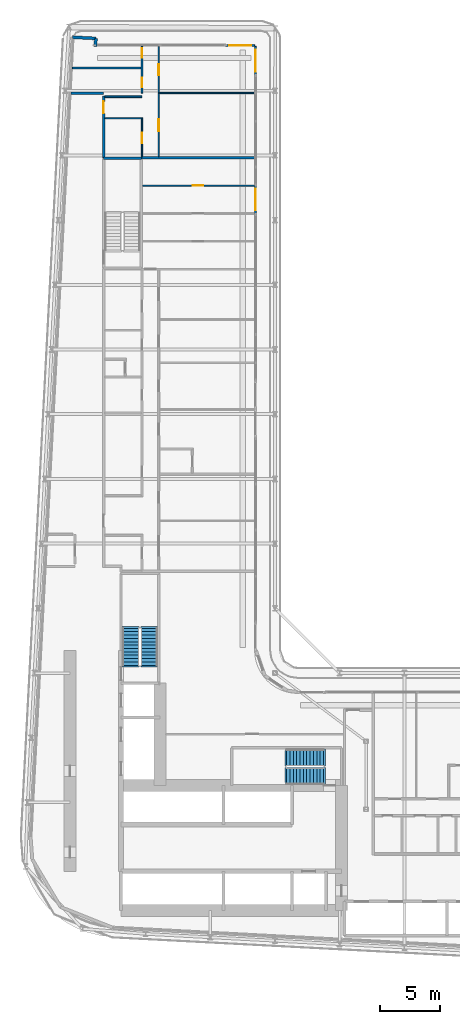
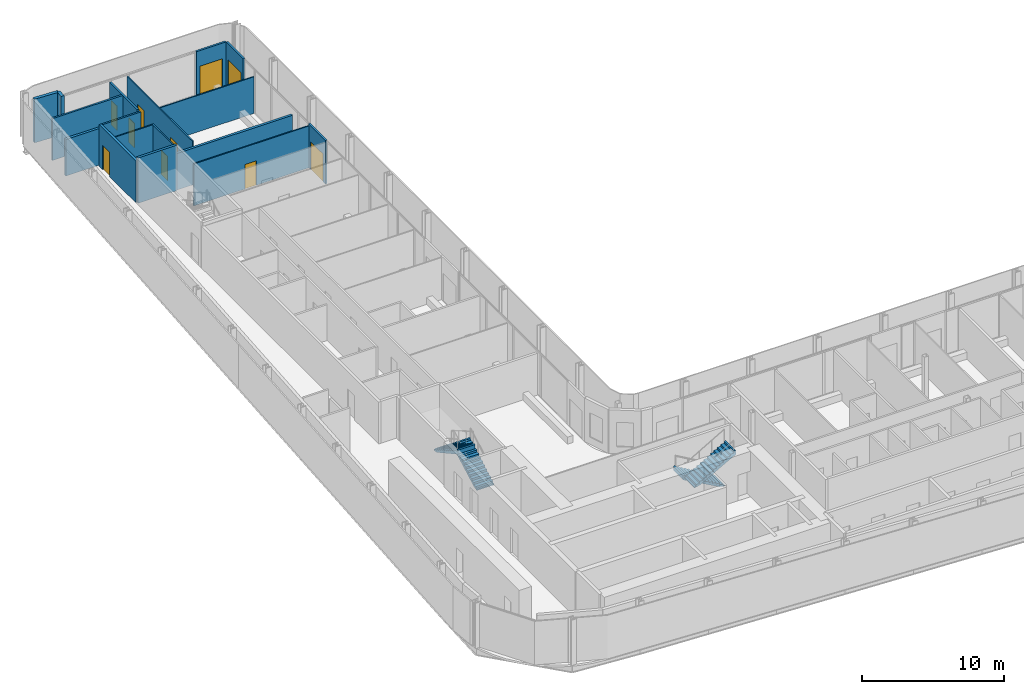
# One storey, part 21 of 29: 17 walls, 10 doors, 4 stair flights, 10 openings, 2 elements without a shape of their own.
"""IFC4 building model written with IfcOpenShell, lengths in metres."""

from ifc_helpers import new_model, si_unit, direction, frame, frame_2d, origin, place, context, subcontext, project, spatial, polyline, rectangle, outline, extrude, source, transform, mapped, material, layer, layer_set, type_object, element, fill, aggregate, save


model = new_model("IFC4")

# Units and contexts
model_context = context("Model", 3, precision=1e-05, world=origin(), true_north=direction((0.0, 1.0)))
body_context = subcontext(model_context, "Body", "Model", "MODEL_VIEW")
ifc_project = project(units=[si_unit("LENGTHUNIT", "METRE"), si_unit("AREAUNIT", "SQUARE_METRE"), si_unit("VOLUMEUNIT", "CUBIC_METRE"), si_unit("PLANEANGLEUNIT", "RADIAN"), si_unit("MASSUNIT", "GRAM", prefix="KILO")], contexts=[model_context])

# Site, building, storey
site_placement = place(None, origin())
site = spatial("IfcSite", under=ifc_project, at=site_placement, CompositionType="ELEMENT")
building_placement = place(site_placement, origin())
building = spatial("IfcBuilding", under=site, at=building_placement, Name="Kheshtan School and Residences Tower", CompositionType="ELEMENT")
storey_placement = place(building_placement, frame((0.0, 0.0, 69.5)))
storey = spatial("IfcBuildingStorey", under=building, at=storey_placement, Name="L16", CompositionType="ELEMENT", Elevation=69.5)

# Wall
ifc_material_1 = material(Name="Gypsum board on steel studs with fire boards", Category="steel")
ifc_layer_1 = layer(ifc_material_1, 0.199951171875)
ifc_layer_set_1 = layer_set([ifc_layer_1], Name="Corridor wall 200")
wall_type_1 = type_object("IfcWallType", Name="Corridor wall 200", PredefinedType="PARTITIONING", material=ifc_layer_set_1)
wall_1_placement = place(storey_placement, frame((30.584716796875, 94.0, 0.0), z_axis=(0.0, 0.0, 1.0), x_axis=(1.0, 0.0, 0.0)))
element("IfcWall", 1, at=wall_1_placement, inside=storey, type_object=wall_type_1, Name="Partition L16-002", PredefinedType="PARTITIONING", context=body_context, shape_type="SweptSolid", body=[
    extrude(rectangle(XDim=2.71533203125, YDim=0.199951171875, at=frame_2d((1.357666015625, 0.0))), origin(), (0.0, 0.0, 1.0), 3.14697265625),
])

# Wall, opening, door
wall_2_placement = place(storey_placement, frame((33.300048828125, 88.60009765625, 0.0), z_axis=(0.0, 0.0, 1.0), x_axis=(0.0, 1.0, 0.0)))
wall_2 = element("IfcWall", 2, at=wall_2_placement, inside=storey, type_object=wall_type_1, Name="Partition L16-004", PredefinedType="PARTITIONING", context=body_context, shape_type="SweptSolid", body=[
    extrude(rectangle(XDim=5.1748046875, YDim=0.199951171875, at=frame_2d((2.58740234375, 0.0))), origin(), (0.0, 0.0, 1.0), 3.60009765625),
])
opening_1_placement = place(wall_2_placement, frame((3.699951171875, 0.0, 0.0)))
opening_1 = element("IfcOpeningElement", 3, at=opening_1_placement, cuts=wall_2, Name="Opening D14-053", PredefinedType="OPENING", context=body_context, shape_type="SweptSolid", body=[
    extrude(rectangle(XDim=1.0, YDim=2.10009765625, at=frame_2d((0.5, 1.050048828125))), frame((0.0, 0.10986328125, 0.0), z_axis=(0.0, -1.0, 0.0), x_axis=(1.0, 0.0, 0.0)), (0.0, 0.0, 1.0), 0.219970703125),
])
ifc_material_2 = material(Name="Steel-framed fire-resisting door leaf", Category="steel")
door_type_1 = type_object("IfcDoorType", Name="Fire door FD30S 1000 x 2100", OperationType="SINGLE_SWING_LEFT", PredefinedType="DOOR", material=ifc_material_2)
shared_shape_1 = source(origin(), body_context, "Body", "SweptSolid", [
    extrude(rectangle(XDim=1.0, YDim=2.10009765625, at=frame_2d((0.5, 1.050048828125))), frame((0.0, 0.02490234375, 0.0), z_axis=(0.0, -1.0, 0.0), x_axis=(1.0, 0.0, 0.0)), (0.0, 0.0, 1.0), 0.050048828125),
])
door_1_placement = place(opening_1_placement, origin())
door_1 = element("IfcDoor", 4, at=door_1_placement, inside=storey, type_object=door_type_1, Name="Door D14-053", OperationType="SINGLE_SWING_RIGHT", OverallHeight=2.10009765625, OverallWidth=1.0, PredefinedType="DOOR", context=body_context, shape_type="MappedRepresentation", body=[
    mapped(shared_shape_1, transform((0.0, 0.0, 0.0), x_axis=(1.0, 0.0, 0.0), y_axis=(0.0, 1.0, 0.0), z_axis=(0.0, 0.0, 1.0), scale=1.0)),
])
fill(opening_1, door_1)

# Walls
ifc_material_3 = material(Name="Concrete C40/50 with ceramic cladding and mineral wool insulation", Category="concrete")
ifc_layer_2 = layer(ifc_material_3, 0.25)
ifc_layer_set_2 = layer_set([ifc_layer_2], Name="External wall 250 ceramic clad")
wall_type_2 = type_object("IfcWallType", Name="External wall 250 ceramic clad", PredefinedType="SOLIDWALL", material=ifc_layer_set_2)
wall_3_placement = place(storey_placement, frame((30.705078125, 98.6640625, 0.0), z_axis=(0.0, 0.0, 1.0), x_axis=(0.998577785791, -0.053314216913, 0.0)))
element("IfcWall", 5, at=wall_3_placement, inside=storey, type_object=wall_type_2, Name="External wall L16 5", PredefinedType="SOLIDWALL", context=body_context, shape_type="SweptSolid", body=[
    extrude(rectangle(XDim=1.95068359375, YDim=0.25, at=frame_2d((0.975341796875, 0.0))), origin(), (0.0, 0.0, 1.0), 3.75),
])
wall_4_placement = place(storey_placement, frame((32.653076171875, 98.56005859375, 0.0), z_axis=(0.0, 0.0, 1.0), x_axis=(-0.054093451632, -0.998535877418, 0.0)))
element("IfcWall", 6, at=wall_4_placement, inside=storey, type_object=wall_type_2, Name="External wall L16 6", PredefinedType="SOLIDWALL", context=body_context, shape_type="SweptSolid", body=[
    extrude(rectangle(XDim=0.66796875, YDim=0.25, at=frame_2d((0.333984375, 0.0))), origin(), (0.0, 0.0, 1.0), 3.75),
])

# Wall, opening, door
ifc_material_4 = material(Name="Aluminium frame wall with insulated infill", Category="aluminium")
ifc_layer_3 = layer(ifc_material_4, 0.14990234375)
ifc_layer_set_3 = layer_set([ifc_layer_3], Name="Glazing frame wall 150")
wall_type_3 = type_object("IfcWallType", Name="Glazing frame wall 150", PredefinedType="SOLIDWALL", material=ifc_layer_set_3)
wall_5_placement = place(storey_placement, frame((43.5, 97.97509765625, 0.0), z_axis=(0.0, 0.0, 1.0), x_axis=(1.0, 0.0, 0.0)))
wall_5 = element("IfcWall", 7, at=wall_5_placement, inside=storey, type_object=wall_type_3, Name="Balcony door wall L16 7.1", PredefinedType="SOLIDWALL", context=body_context, shape_type="SweptSolid", body=[
    extrude(rectangle(XDim=2.39990234375, YDim=0.14990234375, at=frame_2d((1.199951171875, 0.0))), origin(), (0.0, 0.0, 1.0), 3.75),
])
opening_2_placement = place(wall_5_placement, frame((0.300048828125, 0.0, 0.0)))
opening_2 = element("IfcOpeningElement", 8, at=opening_2_placement, cuts=wall_5, Name="Opening BD", PredefinedType="OPENING", context=body_context, shape_type="SweptSolid", body=[
    extrude(rectangle(XDim=1.800048828125, YDim=2.39990234375, at=frame_2d((0.89990234375, 1.199951171875))), frame((0.0, 0.0849609375, 0.0), z_axis=(0.0, -1.0, 0.0), x_axis=(1.0, 0.0, 0.0)), (0.0, 0.0, 1.0), 0.169921875),
])
ifc_material_5 = material(Name="Clear low-e glass in thermally broken aluminium frame", Category="aluminium")
door_type_2 = type_object("IfcDoorType", Name="Balcony sliding door", OperationType="SLIDING_TO_LEFT", PredefinedType="DOOR", material=ifc_material_5)
shared_shape_2 = source(origin(), body_context, "Body", "SweptSolid", [
    extrude(rectangle(XDim=1.800048828125, YDim=2.39990234375, at=frame_2d((0.89990234375, 1.199951171875))), frame((0.0, 0.02490234375, 0.0), z_axis=(0.0, -1.0, 0.0), x_axis=(1.0, 0.0, 0.0)), (0.0, 0.0, 1.0), 0.050048828125),
])
door_2_placement = place(opening_2_placement, origin())
door_2 = element("IfcDoor", 9, at=door_2_placement, inside=storey, type_object=door_type_2, Name="Balcony door L16 7.1", OperationType="SLIDING_TO_LEFT", OverallHeight=2.39990234375, OverallWidth=1.800048828125, PredefinedType="DOOR", context=body_context, shape_type="MappedRepresentation", body=[
    mapped(shared_shape_2, transform((0.0, 0.0, 0.0), x_axis=(1.0, 0.0, 0.0), y_axis=(0.0, 1.0, 0.0), z_axis=(0.0, 0.0, 1.0), scale=1.0)),
])
fill(opening_2, door_2)

wall_6_placement = place(storey_placement, frame((45.97509765625, 97.89990234375, 0.0), z_axis=(0.0, 0.0, 1.0), x_axis=(0.0, -1.0, 0.0)))
wall_6 = element("IfcWall", 10, at=wall_6_placement, inside=storey, type_object=wall_type_3, Name="Balcony door wall L16 8.1", PredefinedType="SOLIDWALL", context=body_context, shape_type="SweptSolid", body=[
    extrude(rectangle(XDim=2.39990234375, YDim=0.14990234375, at=frame_2d((1.199951171875, 0.0))), origin(), (0.0, 0.0, 1.0), 3.75),
])
opening_3_placement = place(wall_6_placement, frame((0.300048828125, 0.0, 0.0)))
opening_3 = element("IfcOpeningElement", 11, at=opening_3_placement, cuts=wall_6, Name="Opening BD", PredefinedType="OPENING", context=body_context, shape_type="SweptSolid", body=[
    extrude(rectangle(XDim=1.800048828125, YDim=2.39990234375, at=frame_2d((0.89990234375, 1.199951171875))), frame((0.0, 0.0849609375, 0.0), z_axis=(0.0, -1.0, 0.0), x_axis=(1.0, 0.0, 0.0)), (0.0, 0.0, 1.0), 0.169921875),
])
door_3_placement = place(opening_3_placement, origin())
door_3 = element("IfcDoor", 12, at=door_3_placement, inside=storey, type_object=door_type_2, Name="Balcony door L16 8.1", OperationType="SLIDING_TO_LEFT", OverallHeight=2.39990234375, OverallWidth=1.800048828125, PredefinedType="DOOR", context=body_context, shape_type="MappedRepresentation", body=[
    mapped(shared_shape_2, transform((0.0, 0.0, 0.0), x_axis=(1.0, 0.0, 0.0), y_axis=(0.0, 1.0, 0.0), z_axis=(0.0, 0.0, 1.0), scale=1.0)),
])
fill(opening_3, door_3)

wall_7_placement = place(storey_placement, frame((45.97509765625, 86.305908203125, 0.0), z_axis=(0.0, 0.0, 1.0), x_axis=(0.0, -1.0, 0.0)))
wall_7 = element("IfcWall", 13, at=wall_7_placement, inside=storey, type_object=wall_type_3, Name="Balcony door wall L16 8.2", PredefinedType="SOLIDWALL", context=body_context, shape_type="SweptSolid", body=[
    extrude(rectangle(XDim=2.39990234375, YDim=0.14990234375, at=frame_2d((1.199951171875, 0.0))), origin(), (0.0, 0.0, 1.0), 3.75),
])
opening_4_placement = place(wall_7_placement, frame((0.300048828125, 0.0, 0.0)))
opening_4 = element("IfcOpeningElement", 14, at=opening_4_placement, cuts=wall_7, Name="Opening BD", PredefinedType="OPENING", context=body_context, shape_type="SweptSolid", body=[
    extrude(rectangle(XDim=1.800048828125, YDim=2.39990234375, at=frame_2d((0.89990234375, 1.199951171875))), frame((0.0, 0.0849609375, 0.0), z_axis=(0.0, -1.0, 0.0), x_axis=(1.0, 0.0, 0.0)), (0.0, 0.0, 1.0), 0.169921875),
])
door_4_placement = place(opening_4_placement, origin())
door_4 = element("IfcDoor", 15, at=door_4_placement, inside=storey, type_object=door_type_2, Name="Balcony door L16 8.2", OperationType="SLIDING_TO_LEFT", OverallHeight=2.39990234375, OverallWidth=1.800048828125, PredefinedType="DOOR", context=body_context, shape_type="MappedRepresentation", body=[
    mapped(shared_shape_2, transform((0.0, 0.0, 0.0), x_axis=(1.0, 0.0, 0.0), y_axis=(0.0, 1.0, 0.0), z_axis=(0.0, 0.0, 1.0), scale=1.0)),
])
fill(opening_4, door_4)

# Wall
ifc_material_6 = material(Name="Gypsum board on steel studs", Category="steel")
ifc_layer_4 = layer(ifc_material_6, 0.10009765625)
ifc_layer_set_4 = layer_set([ifc_layer_4], Name="Gypsum partition 100")
wall_type_4 = type_object("IfcWallType", Name="Gypsum partition 100", PredefinedType="PARTITIONING", material=ifc_layer_set_4)
wall_8_placement = place(storey_placement, frame((33.39990234375, 91.89990234375, 0.0), z_axis=(0.0, 0.0, 1.0), x_axis=(1.0, 0.0, 0.0)))
element("IfcWall", 16, at=wall_8_placement, inside=storey, type_object=wall_type_4, Name="Partition L16-013", PredefinedType="PARTITIONING", context=body_context, shape_type="SweptSolid", body=[
    extrude(rectangle(XDim=3.050048828125, YDim=0.10009765625, at=frame_2d((1.52490234375, 0.0))), origin(), (0.0, 0.0, 1.0), 3.60009765625),
])

# Wall, opening, door
wall_9_placement = place(storey_placement, frame((36.5, 88.699951171875, 0.0), z_axis=(0.0, 0.0, 1.0), x_axis=(0.0, 1.0, 0.0)))
wall_9 = element("IfcWall", 17, at=wall_9_placement, inside=storey, type_object=wall_type_4, Name="Partition L16-022", PredefinedType="PARTITIONING", context=body_context, shape_type="SweptSolid", body=[
    extrude(rectangle(XDim=3.25, YDim=0.10009765625, at=frame_2d((1.625, 0.0))), origin(), (0.0, 0.0, 1.0), 3.60009765625),
])
opening_5_placement = place(wall_9_placement, frame((1.10009765625, 0.0, 0.0)))
opening_5 = element("IfcOpeningElement", 18, at=opening_5_placement, cuts=wall_9, Name="Opening D14-054", PredefinedType="OPENING", context=body_context, shape_type="SweptSolid", body=[
    extrude(rectangle(XDim=0.89990234375, YDim=2.10009765625, at=frame_2d((0.449951171875, 1.050048828125))), frame((0.0, 0.06005859375, 0.0), z_axis=(0.0, -1.0, 0.0), x_axis=(1.0, 0.0, 0.0)), (0.0, 0.0, 1.0), 0.1201171875),
])
ifc_material_7 = material(Name="Veneered timber door leaf", Category="wood")
door_type_3 = type_object("IfcDoorType", Name="Door 900 x 2100", OperationType="SINGLE_SWING_LEFT", PredefinedType="DOOR", material=ifc_material_7)
shared_shape_3 = source(origin(), body_context, "Body", "SweptSolid", [
    extrude(rectangle(XDim=0.89990234375, YDim=2.10009765625, at=frame_2d((0.449951171875, 1.050048828125))), frame((0.0, 0.02490234375, 0.0), z_axis=(0.0, -1.0, 0.0), x_axis=(1.0, 0.0, 0.0)), (0.0, 0.0, 1.0), 0.050048828125),
])
door_5_placement = place(opening_5_placement, origin())
door_5 = element("IfcDoor", 19, at=door_5_placement, inside=storey, type_object=door_type_3, Name="Door D14-054", OperationType="SINGLE_SWING_LEFT", OverallHeight=2.10009765625, OverallWidth=0.89990234375, PredefinedType="DOOR", context=body_context, shape_type="MappedRepresentation", body=[
    mapped(shared_shape_3, transform((0.0, 0.0, 0.0), x_axis=(1.0, 0.0, 0.0), y_axis=(0.0, 1.0, 0.0), z_axis=(0.0, 0.0, 1.0), scale=1.0)),
])
fill(opening_5, door_5)

wall_10_placement = place(storey_placement, frame((36.549072265625, 86.27490234375, 0.0), z_axis=(0.0, 0.0, 1.0), x_axis=(1.0, 0.0, 0.0)))
wall_10 = element("IfcWall", 20, at=wall_10_placement, inside=storey, type_object=wall_type_4, Name="Partition L16-026", PredefinedType="PARTITIONING", context=body_context, shape_type="SweptSolid", body=[
    extrude(rectangle(XDim=9.350830078125, YDim=0.10009765625, at=frame_2d((4.67529296875, 0.0))), origin(), (0.0, 0.0, 1.0), 3.60009765625),
])
opening_6_placement = place(wall_10_placement, frame((4.176025390625, 0.0, 0.0)))
opening_6 = element("IfcOpeningElement", 21, at=opening_6_placement, cuts=wall_10, Name="Opening D14-050", PredefinedType="OPENING", context=body_context, shape_type="SweptSolid", body=[
    extrude(rectangle(XDim=0.89990234375, YDim=2.10009765625, at=frame_2d((0.449951171875, 1.050048828125))), frame((0.0, 0.06005859375, 0.0), z_axis=(0.0, -1.0, 0.0), x_axis=(1.0, 0.0, 0.0)), (0.0, 0.0, 1.0), 0.1201171875),
])
door_6_placement = place(opening_6_placement, origin())
door_6 = element("IfcDoor", 22, at=door_6_placement, inside=storey, type_object=door_type_3, Name="Door D14-050", OperationType="SINGLE_SWING_RIGHT", OverallHeight=2.10009765625, OverallWidth=0.89990234375, PredefinedType="DOOR", context=body_context, shape_type="MappedRepresentation", body=[
    mapped(shared_shape_3, transform((0.0, 0.0, 0.0), x_axis=(1.0, 0.0, 0.0), y_axis=(0.0, 1.0, 0.0), z_axis=(0.0, 0.0, 1.0), scale=1.0)),
])
fill(opening_6, door_6)

# Wall, openings, doors
wall_11_placement = place(storey_placement, frame((37.89990234375, 88.699951171875, 0.0), z_axis=(0.0, 0.0, 1.0), x_axis=(0.0, 1.0, 0.0)))
wall_11 = element("IfcWall", 23, at=wall_11_placement, inside=storey, type_object=wall_type_4, Name="Partition L16-028", PredefinedType="PARTITIONING", context=body_context, shape_type="SweptSolid", body=[
    extrude(rectangle(XDim=9.199951171875, YDim=0.10009765625, at=frame_2d((4.60009765625, 0.0))), origin(), (0.0, 0.0, 1.0), 3.60009765625),
])
opening_7_placement = place(wall_11_placement, frame((6.800048828125, 0.0, 0.0)))
opening_7 = element("IfcOpeningElement", 24, at=opening_7_placement, cuts=wall_11, Name="Opening D14-052", PredefinedType="OPENING", context=body_context, shape_type="SweptSolid", body=[
    extrude(rectangle(XDim=0.89990234375, YDim=2.10009765625, at=frame_2d((0.449951171875, 1.050048828125))), frame((0.0, 0.06005859375, 0.0), z_axis=(0.0, -1.0, 0.0), x_axis=(1.0, 0.0, 0.0)), (0.0, 0.0, 1.0), 0.1201171875),
])
opening_8_placement = place(wall_11_placement, frame((2.10009765625, 0.0, 0.0)))
opening_8 = element("IfcOpeningElement", 25, at=opening_8_placement, cuts=wall_11, Name="Opening D14-055", PredefinedType="OPENING", context=body_context, shape_type="SweptSolid", body=[
    extrude(rectangle(XDim=1.0, YDim=2.10009765625, at=frame_2d((0.5, 1.050048828125))), frame((0.0, 0.06005859375, 0.0), z_axis=(0.0, -1.0, 0.0), x_axis=(1.0, 0.0, 0.0)), (0.0, 0.0, 1.0), 0.1201171875),
])
door_type_4 = type_object("IfcDoorType", Name="Door 1000 x 2100", OperationType="SINGLE_SWING_LEFT", PredefinedType="DOOR", material=ifc_material_7)
shared_shape_4 = source(origin(), body_context, "Body", "SweptSolid", [
    extrude(rectangle(XDim=1.0, YDim=2.10009765625, at=frame_2d((0.5, 1.050048828125))), frame((0.0, 0.02490234375, 0.0), z_axis=(0.0, -1.0, 0.0), x_axis=(1.0, 0.0, 0.0)), (0.0, 0.0, 1.0), 0.050048828125),
])
door_7_placement = place(opening_8_placement, origin())
door_7 = element("IfcDoor", 26, at=door_7_placement, inside=storey, type_object=door_type_4, Name="Door D14-055", OperationType="SINGLE_SWING_LEFT", OverallHeight=2.10009765625, OverallWidth=1.0, PredefinedType="DOOR", context=body_context, shape_type="MappedRepresentation", body=[
    mapped(shared_shape_4, transform((0.0, 0.0, 0.0), x_axis=(1.0, 0.0, 0.0), y_axis=(0.0, 1.0, 0.0), z_axis=(0.0, 0.0, 1.0), scale=1.0)),
])
fill(opening_8, door_7)
door_8_placement = place(opening_7_placement, origin())
door_8 = element("IfcDoor", 27, at=door_8_placement, inside=storey, type_object=door_type_3, Name="Door D14-052", OperationType="SINGLE_SWING_RIGHT", OverallHeight=2.10009765625, OverallWidth=0.89990234375, PredefinedType="DOOR", context=body_context, shape_type="MappedRepresentation", body=[
    mapped(shared_shape_3, transform((0.0, 0.0, 0.0), x_axis=(1.0, 0.0, 0.0), y_axis=(0.0, 1.0, 0.0), z_axis=(0.0, 0.0, 1.0), scale=1.0)),
])
fill(opening_7, door_8)

# Walls
wall_12_placement = place(storey_placement, frame((37.949951171875, 94.0, 0.0), z_axis=(0.0, 0.0, 1.0), x_axis=(1.0, 0.0, 0.0)))
element("IfcWall", 28, at=wall_12_placement, inside=storey, type_object=wall_type_4, Name="Partition L16-029", PredefinedType="PARTITIONING", context=body_context, shape_type="SweptSolid", body=[
    extrude(rectangle(XDim=7.949951171875, YDim=0.10009765625, at=frame_2d((3.97509765625, 0.0))), origin(), (0.0, 0.0, 1.0), 3.14697265625),
])
ifc_material_8 = material(Name="Concrete C40/50", Category="concrete")
ifc_layer_5 = layer(ifc_material_8, 0.199951171875)
ifc_layer_set_5 = layer_set([ifc_layer_5], Name="Stair enclosure wall 200 Concrete C40/50")
wall_type_5 = type_object("IfcWallType", Name="Stair enclosure wall 200 Concrete C40/50", PredefinedType="SHEAR", material=ifc_layer_set_5)
wall_13_placement = place(storey_placement, frame((33.300048828125, 88.56005859375, 0.0), z_axis=(0.0, 0.0, 1.0), x_axis=(1.0, 0.0, 0.0)))
element("IfcWall", 29, at=wall_13_placement, inside=storey, type_object=wall_type_5, Name="Stair enclosure wall ST3", PredefinedType="SHEAR", context=body_context, shape_type="SweptSolid", body=[
    extrude(rectangle(XDim=3.14990234375, YDim=0.199951171875, at=frame_2d((1.574951171875, 0.0))), origin(), (0.0, 0.0, 1.0), 3.89990234375),
])
ifc_material_9 = material(Name="Twin gypsum board on steel studs with mineral wool", Category="steel")
ifc_layer_6 = layer(ifc_material_9, 0.199951171875)
ifc_layer_set_6 = layer_set([ifc_layer_6], Name="Unit demising wall 200")
wall_type_6 = type_object("IfcWallType", Name="Unit demising wall 200", PredefinedType="PARTITIONING", material=ifc_layer_set_6)
wall_14_placement = place(storey_placement, frame((36.449951171875, 88.60009765625, 0.0), z_axis=(0.0, 0.0, 1.0), x_axis=(1.0, 0.0, 0.0)))
element("IfcWall", 30, at=wall_14_placement, inside=storey, type_object=wall_type_6, Name="Partition L16-018", PredefinedType="PARTITIONING", context=body_context, shape_type="SweptSolid", body=[
    extrude(rectangle(XDim=9.449951171875, YDim=0.199951171875, at=frame_2d((4.72509765625, 0.0))), origin(), (0.0, 0.0, 1.0), 3.14697265625),
])
ifc_material_10 = material(Name="Moisture-resistant gypsum board on steel studs", Category="steel")
ifc_layer_7 = layer(ifc_material_10, 0.14990234375)
ifc_layer_set_7 = layer_set([ifc_layer_7], Name="Wet-room partition 150")
wall_type_7 = type_object("IfcWallType", Name="Wet-room partition 150", PredefinedType="PARTITIONING", material=ifc_layer_set_7)
wall_15_placement = place(storey_placement, frame((30.695068359375, 96.10009765625, 0.0), z_axis=(0.0, 0.0, 1.0), x_axis=(1.0, 0.0, 0.0)))
element("IfcWall", 31, at=wall_15_placement, inside=storey, type_object=wall_type_7, Name="Partition L16-001", PredefinedType="PARTITIONING", context=body_context, shape_type="SweptSolid", body=[
    extrude(rectangle(XDim=5.72998046875, YDim=0.14990234375, at=frame_2d((2.864990234375, 0.0))), origin(), (0.0, 0.0, 1.0), 3.60009765625),
])
wall_16_placement = place(storey_placement, frame((33.39990234375, 93.699951171875, 0.0), z_axis=(0.0, 0.0, 1.0), x_axis=(1.0, 0.0, 0.0)))
element("IfcWall", 32, at=wall_16_placement, inside=storey, type_object=wall_type_7, Name="Partition L16-014", PredefinedType="PARTITIONING", context=body_context, shape_type="SweptSolid", body=[
    extrude(rectangle(XDim=3.10009765625, YDim=0.14990234375, at=frame_2d((1.550048828125, 0.0))), origin(), (0.0, 0.0, 1.0), 3.60009765625),
])

# Wall, openings, doors
wall_17_placement = place(storey_placement, frame((36.5, 94.0, 0.0), z_axis=(0.0, 0.0, 1.0), x_axis=(0.0, 1.0, 0.0)))
wall_17 = element("IfcWall", 33, at=wall_17_placement, inside=storey, type_object=wall_type_7, Name="Partition L16-023", PredefinedType="PARTITIONING", context=body_context, shape_type="SweptSolid", body=[
    extrude(rectangle(XDim=3.89990234375, YDim=0.14990234375, at=frame_2d((1.949951171875, 0.0))), origin(), (0.0, 0.0, 1.0), 3.60009765625),
])
opening_9_placement = place(wall_17_placement, frame((0.5, 0.0, 0.0)))
opening_9 = element("IfcOpeningElement", 34, at=opening_9_placement, cuts=wall_17, Name="Opening D14-051", PredefinedType="OPENING", context=body_context, shape_type="SweptSolid", body=[
    extrude(rectangle(XDim=0.800048828125, YDim=2.10009765625, at=frame_2d((0.39990234375, 1.050048828125))), frame((0.0, 0.0849609375, 0.0), z_axis=(0.0, -1.0, 0.0), x_axis=(1.0, 0.0, 0.0)), (0.0, 0.0, 1.0), 0.169921875),
])
opening_10_placement = place(wall_17_placement, frame((2.949951171875, 0.0, 0.0)))
opening_10 = element("IfcOpeningElement", 35, at=opening_10_placement, cuts=wall_17, Name="Opening D14-056", PredefinedType="OPENING", context=body_context, shape_type="SweptSolid", body=[
    extrude(rectangle(XDim=0.800048828125, YDim=2.10009765625, at=frame_2d((0.39990234375, 1.050048828125))), frame((0.0, 0.0849609375, 0.0), z_axis=(0.0, -1.0, 0.0), x_axis=(1.0, 0.0, 0.0)), (0.0, 0.0, 1.0), 0.169921875),
])
door_type_5 = type_object("IfcDoorType", Name="Door 800 x 2100", OperationType="SINGLE_SWING_LEFT", PredefinedType="DOOR", material=ifc_material_7)
shared_shape_5 = source(origin(), body_context, "Body", "SweptSolid", [
    extrude(rectangle(XDim=0.800048828125, YDim=2.10009765625, at=frame_2d((0.39990234375, 1.050048828125))), frame((0.0, 0.02490234375, 0.0), z_axis=(0.0, -1.0, 0.0), x_axis=(1.0, 0.0, 0.0)), (0.0, 0.0, 1.0), 0.050048828125),
])
door_9_placement = place(opening_9_placement, origin())
door_9 = element("IfcDoor", 36, at=door_9_placement, inside=storey, type_object=door_type_5, Name="Door D14-051", OperationType="SINGLE_SWING_LEFT", OverallHeight=2.10009765625, OverallWidth=0.800048828125, PredefinedType="DOOR", context=body_context, shape_type="MappedRepresentation", body=[
    mapped(shared_shape_5, transform((0.0, 0.0, 0.0), x_axis=(1.0, 0.0, 0.0), y_axis=(0.0, 1.0, 0.0), z_axis=(0.0, 0.0, 1.0), scale=1.0)),
])
fill(opening_9, door_9)
door_10_placement = place(opening_10_placement, origin())
door_10 = element("IfcDoor", 37, at=door_10_placement, inside=storey, type_object=door_type_5, Name="Door D14-056", OperationType="SINGLE_SWING_LEFT", OverallHeight=2.10009765625, OverallWidth=0.800048828125, PredefinedType="DOOR", context=body_context, shape_type="MappedRepresentation", body=[
    mapped(shared_shape_5, transform((0.0, 0.0, 0.0), x_axis=(1.0, 0.0, 0.0), y_axis=(0.0, 1.0, 0.0), z_axis=(0.0, 0.0, 1.0), scale=1.0)),
])
fill(opening_10, door_10)

# Stair, stair flights
stair_type = type_object("IfcStairType", Name="Exit stair, half-turn", PredefinedType="HALF_TURN_STAIR", material=ifc_material_8)
stair_1_placement = place(storey_placement, origin())
stair_1 = element("IfcStair", 38, at=stair_1_placement, inside=storey, type_object=stair_type, Name="L16 Protected Exit Stair ST1", PredefinedType="HALF_TURN_STAIR")
ifc_layer_8 = layer(ifc_material_8, 0.14990234375)
ifc_layer_set_8 = layer_set([ifc_layer_8], Name="Stair flight 1400 Concrete C40/50")
stair_flight_type = type_object("IfcStairFlightType", Name="Stair flight 1400 Concrete C40/50", PredefinedType="STRAIGHT", material=ifc_layer_set_8)
stair_flight_1_placement = place(storey_placement, frame((51.64990234375, 38.550048828125, 0.0), z_axis=(0.0, 0.0, 1.0), x_axis=(-1.0, 0.0, 0.0)))
stair_flight_1 = element("IfcStairFlight", 39, at=stair_flight_1_placement, type_object=stair_flight_type, Name="ST1 flight 1", NumberOfRisers=12, NumberOfTreads=11, PredefinedType="STRAIGHT", RiserHeight=0.1625, TreadLength=0.28, context=body_context, shape_type="SweptSolid", body=[
    extrude(outline(polyline([(-0.14990234375, -0.10009765625), (-0.14990234375, 0.0), (0.0, 0.0), (0.0, 0.16259765625), (0.280029296875, 0.16259765625), (0.280029296875, 0.324951171875), (0.56005859375, 0.324951171875), (0.56005859375, 0.487548828125), (0.840087890625, 0.487548828125), (0.840087890625, 0.64990234375), (1.1201171875, 0.64990234375), (1.1201171875, 0.8125), (1.39990234375, 0.8125), (1.39990234375, 0.97509765625), (1.679931640625, 0.97509765625), (1.679931640625, 1.137451171875), (1.9599609375, 1.137451171875), (1.9599609375, 1.300048828125), (2.239990234375, 1.300048828125), (2.239990234375, 1.46240234375), (2.52001953125, 1.46240234375), (2.52001953125, 1.625), (2.800048828125, 1.625), (2.800048828125, 1.78759765625), (3.080078125, 1.78759765625), (3.080078125, 1.949951171875), (3.080078125, 1.969970703125), (3.22998046875, 1.969970703125), (3.22998046875, 1.6142578125), (0.298583984375, 0.0), (-0.14990234375, -0.10009765625)])), frame((0.0, 0.699951171875, 0.0), z_axis=(0.0, -1.0, 0.0), x_axis=(1.0, 0.0, 0.0)), (0.0, 0.0, 1.0), 1.39990234375),
])
stair_flight_2_placement = place(storey_placement, frame((48.570068359375, 37.0, 1.949951171875), z_axis=(0.0, 0.0, 1.0), x_axis=(1.0, 0.0, 0.0)))
stair_flight_2 = element("IfcStairFlight", 40, at=stair_flight_2_placement, type_object=stair_flight_type, Name="ST1 flight 2", NumberOfRisers=12, NumberOfTreads=11, PredefinedType="STRAIGHT", RiserHeight=0.1625, TreadLength=0.28, context=body_context, shape_type="SweptSolid", body=[
    extrude(outline(polyline([(-0.14990234375, -0.10009765625), (-0.14990234375, 0.0), (0.0, 0.0), (0.0, 0.16259765625), (0.280029296875, 0.16259765625), (0.280029296875, 0.324951171875), (0.56005859375, 0.324951171875), (0.56005859375, 0.487548828125), (0.840087890625, 0.487548828125), (0.840087890625, 0.64990234375), (1.1201171875, 0.64990234375), (1.1201171875, 0.8125), (1.39990234375, 0.8125), (1.39990234375, 0.97509765625), (1.679931640625, 0.97509765625), (1.679931640625, 1.137451171875), (1.9599609375, 1.137451171875), (1.9599609375, 1.300048828125), (2.239990234375, 1.300048828125), (2.239990234375, 1.46240234375), (2.52001953125, 1.46240234375), (2.52001953125, 1.625), (2.800048828125, 1.625), (2.800048828125, 1.78759765625), (3.080078125, 1.78759765625), (3.080078125, 1.949951171875), (3.080078125, 1.969970703125), (3.22998046875, 1.969970703125), (3.22998046875, 1.6142578125), (0.298583984375, 0.0), (-0.14990234375, -0.10009765625)])), frame((0.0, 0.699951171875, 0.0), z_axis=(0.0, -1.0, 0.0), x_axis=(1.0, 0.0, 0.0)), (0.0, 0.0, 1.0), 1.39990234375),
])
aggregate(stair_1, [stair_flight_1, stair_flight_2])

stair_2_placement = place(storey_placement, origin())
stair_2 = element("IfcStair", 41, at=stair_2_placement, inside=storey, type_object=stair_type, Name="L16 Protected Exit Stair ST2", PredefinedType="HALF_TURN_STAIR")
stair_flight_3_placement = place(storey_placement, frame((37.10009765625, 46.25, 0.0), z_axis=(0.0, 0.0, 1.0), x_axis=(0.0, 1.0, 0.0)))
stair_flight_3 = element("IfcStairFlight", 42, at=stair_flight_3_placement, type_object=stair_flight_type, Name="ST2 flight 1", NumberOfRisers=12, NumberOfTreads=11, PredefinedType="STRAIGHT", RiserHeight=0.1625, TreadLength=0.28, context=body_context, shape_type="SweptSolid", body=[
    extrude(outline(polyline([(-0.14990234375, -0.10009765625), (-0.14990234375, 0.0), (0.0, 0.0), (0.0, 0.16259765625), (0.280029296875, 0.16259765625), (0.280029296875, 0.324951171875), (0.56005859375, 0.324951171875), (0.56005859375, 0.487548828125), (0.840087890625, 0.487548828125), (0.840087890625, 0.64990234375), (1.1201171875, 0.64990234375), (1.1201171875, 0.8125), (1.39990234375, 0.8125), (1.39990234375, 0.97509765625), (1.679931640625, 0.97509765625), (1.679931640625, 1.137451171875), (1.9599609375, 1.137451171875), (1.9599609375, 1.300048828125), (2.239990234375, 1.300048828125), (2.239990234375, 1.46240234375), (2.52001953125, 1.46240234375), (2.52001953125, 1.625), (2.800048828125, 1.625), (2.800048828125, 1.78759765625), (3.080078125, 1.78759765625), (3.080078125, 1.949951171875), (3.080078125, 1.969970703125), (3.22998046875, 1.969970703125), (3.22998046875, 1.6142578125), (0.298583984375, 0.0), (-0.14990234375, -0.10009765625)])), frame((0.0, 0.699951171875, 0.0), z_axis=(0.0, -1.0, 0.0), x_axis=(1.0, 0.0, 0.0)), (0.0, 0.0, 1.0), 1.39990234375),
])
stair_flight_4_placement = place(storey_placement, frame((35.550048828125, 49.330078125, 1.949951171875), z_axis=(0.0, 0.0, 1.0), x_axis=(0.0, -1.0, 0.0)))
stair_flight_4 = element("IfcStairFlight", 43, at=stair_flight_4_placement, type_object=stair_flight_type, Name="ST2 flight 2", NumberOfRisers=12, NumberOfTreads=11, PredefinedType="STRAIGHT", RiserHeight=0.1625, TreadLength=0.28, context=body_context, shape_type="SweptSolid", body=[
    extrude(outline(polyline([(-0.14990234375, -0.10009765625), (-0.14990234375, 0.0), (0.0, 0.0), (0.0, 0.16259765625), (0.280029296875, 0.16259765625), (0.280029296875, 0.324951171875), (0.56005859375, 0.324951171875), (0.56005859375, 0.487548828125), (0.840087890625, 0.487548828125), (0.840087890625, 0.64990234375), (1.1201171875, 0.64990234375), (1.1201171875, 0.8125), (1.39990234375, 0.8125), (1.39990234375, 0.97509765625), (1.679931640625, 0.97509765625), (1.679931640625, 1.137451171875), (1.9599609375, 1.137451171875), (1.9599609375, 1.300048828125), (2.239990234375, 1.300048828125), (2.239990234375, 1.46240234375), (2.52001953125, 1.46240234375), (2.52001953125, 1.625), (2.800048828125, 1.625), (2.800048828125, 1.78759765625), (3.080078125, 1.78759765625), (3.080078125, 1.949951171875), (3.080078125, 1.969970703125), (3.22998046875, 1.969970703125), (3.22998046875, 1.6142578125), (0.298583984375, 0.0), (-0.14990234375, -0.10009765625)])), frame((0.0, 0.699951171875, 0.0), z_axis=(0.0, -1.0, 0.0), x_axis=(1.0, 0.0, 0.0)), (0.0, 0.0, 1.0), 1.39990234375),
])
aggregate(stair_2, [stair_flight_3, stair_flight_4])

save(model, "model.ifc")
